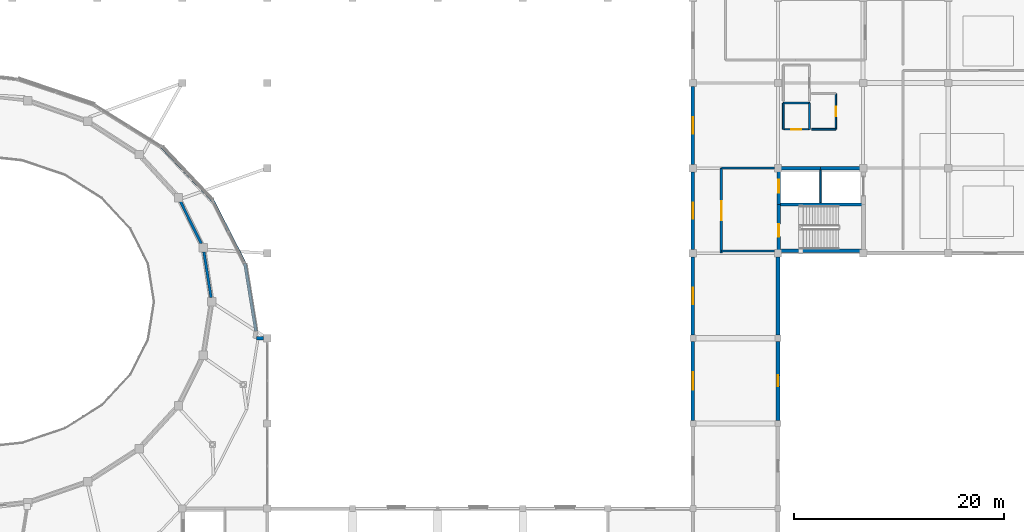
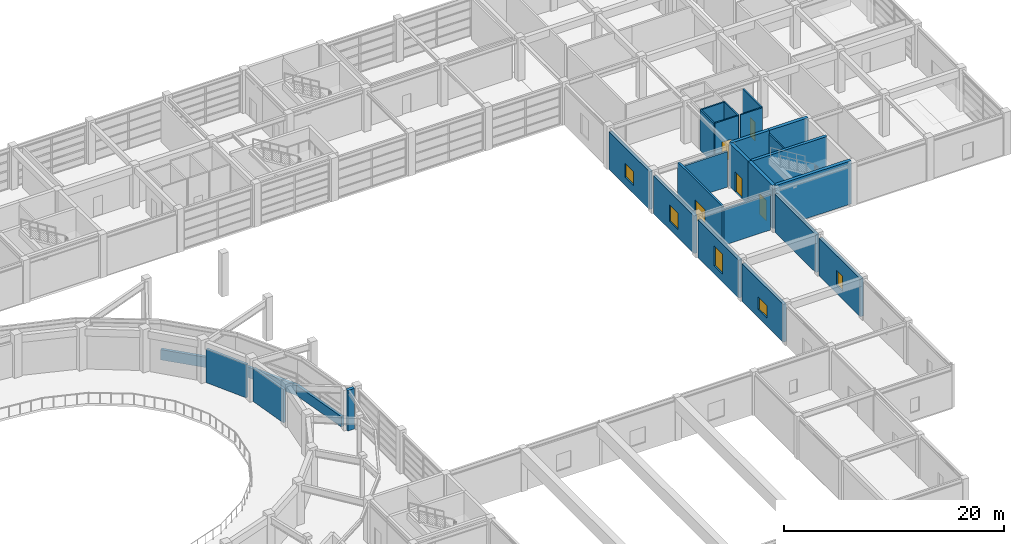
# One storey, part 43 of 58: 28 walls, 5 doors, 5 windows, 10 openings.
"""IFC4 building model written with IfcOpenShell, lengths in metres."""

from ifc_helpers import new_model, si_unit, direction, frame, frame_2d, origin, place, context, subcontext, project, spatial, rectangle, extrude, material, layer, layer_set, type_object, element, fill, save


model = new_model("IFC4")

# Units and contexts
model_context = context("Model", 3, precision=1e-05, world=origin(), true_north=direction((0.0, 1.0)))
body_context = subcontext(model_context, "Body", "Model", "MODEL_VIEW")
ifc_project = project(units=[si_unit("LENGTHUNIT", "METRE"), si_unit("AREAUNIT", "SQUARE_METRE"), si_unit("VOLUMEUNIT", "CUBIC_METRE"), si_unit("PLANEANGLEUNIT", "RADIAN"), si_unit("MASSUNIT", "GRAM", prefix="KILO")], contexts=[model_context])

# Site, building, storey
site_placement = place(None, origin())
site = spatial("IfcSite", under=ifc_project, at=site_placement, CompositionType="ELEMENT")
building_placement = place(site_placement, origin())
building = spatial("IfcBuilding", under=site, at=building_placement, Name="Parian Resonance Hall", CompositionType="ELEMENT")
storey_placement = place(building_placement, frame((0.0, 0.0, 10.199951171875)))
storey = spatial("IfcBuildingStorey", under=building, at=storey_placement, Name="L02", CompositionType="ELEMENT", Elevation=10.199951171875)

# Wall
ifc_material_1 = material(Name="Concrete C40/50", Category="concrete")
ifc_layer_1 = layer(ifc_material_1, 0.31005859375)
ifc_layer_set_1 = layer_set([ifc_layer_1], Name="Concrete C40/50")
wall_type_1 = type_object("IfcWallType", Name="CW310", PredefinedType="SHEAR", material=ifc_layer_set_1)
wall_1_placement = place(storey_placement, frame((121.570068359375, 53.25, 0.0), z_axis=(0.0, 0.0, 1.0), x_axis=(1.0, 0.0, 0.0)))
element("IfcWall", 1, at=wall_1_placement, inside=storey, type_object=wall_type_1, Name="Core K2 stair-lift divider wall L02", PredefinedType="SHEAR", context=body_context, shape_type="SweptSolid", body=[
    extrude(rectangle(XDim=8.059814453125, YDim=0.31005859375, at=frame_2d((4.02978515625, 0.0))), origin(), (0.0, 0.0, 1.0), 4.800048828125),
])

# Wall, opening, door
ifc_material_2 = material(Name="Concrete C40/50", Category="concrete")
ifc_layer_2 = layer(ifc_material_2, 0.35009765625)
ifc_layer_set_2 = layer_set([ifc_layer_2], Name="Concrete C40/50")
wall_type_2 = type_object("IfcWallType", Name="CW350", PredefinedType="SHEAR", material=ifc_layer_set_2)
wall_2_placement = place(storey_placement, frame((121.570068359375, 48.830078125, 0.0), z_axis=(0.0, 0.0, 1.0), x_axis=(0.0, 1.0, 0.0)))
wall_2 = element("IfcWall", 2, at=wall_2_placement, inside=storey, type_object=wall_type_2, Name="Core K2 stairwell west shear wall L02", PredefinedType="SHEAR", context=body_context, shape_type="SweptSolid", body=[
    extrude(rectangle(XDim=4.419921875, YDim=0.35009765625, at=frame_2d((2.2099609375, 0.0))), origin(), (0.0, 0.0, 1.0), 4.800048828125),
])
opening_1_placement = place(wall_2_placement, frame((1.35009765625, 0.0, 0.0)))
opening_1 = element("IfcOpeningElement", 3, at=opening_1_placement, cuts=wall_2, Name="Opening FD-01", PredefinedType="OPENING", context=body_context, shape_type="SweptSolid", body=[
    extrude(rectangle(XDim=1.199951171875, YDim=2.25, at=frame_2d((0.60009765625, 1.125))), frame((0.0, 0.18505859375, 0.0), z_axis=(0.0, -1.0, 0.0), x_axis=(1.0, 0.0, 0.0)), (0.0, 0.0, 1.0), 0.3701171875),
])
ifc_material_3 = material(Name="Fire-rated acoustic steel and narra timber door", Category="steel")
door_type_1 = type_object("IfcDoorType", Name="FD-01", OperationType="NOTDEFINED", PredefinedType="DOOR", material=ifc_material_3)
door_1_placement = place(opening_1_placement, origin())
door_1 = element("IfcDoor", 4, at=door_1_placement, inside=storey, type_object=door_type_1, Name="Exit stair ST-02 fire door L02", OperationType="SINGLE_SWING_LEFT", OverallHeight=2.25, OverallWidth=1.199951171875, PredefinedType="DOOR", context=body_context, shape_type="SweptSolid", body=[
    extrude(rectangle(XDim=1.199951171875, YDim=2.25, at=frame_2d((0.60009765625, 1.125))), frame((0.0, 0.02490234375, 0.0), z_axis=(0.0, -1.0, 0.0), x_axis=(1.0, 0.0, 0.0)), (0.0, 0.0, 1.0), 0.050048828125),
])
fill(opening_1, door_1)

wall_3_placement = place(storey_placement, frame((121.570068359375, 53.25, 0.0), z_axis=(0.0, 0.0, 1.0), x_axis=(0.0, 1.0, 0.0)))
wall_3 = element("IfcWall", 5, at=wall_3_placement, inside=storey, type_object=wall_type_2, Name="Core K2 lift shaft west shear wall L02", PredefinedType="SHEAR", context=body_context, shape_type="SweptSolid", body=[
    extrude(rectangle(XDim=3.449951171875, YDim=0.35009765625, at=frame_2d((1.72509765625, 0.0))), origin(), (0.0, 0.0, 1.0), 4.800048828125),
])
opening_2_placement = place(wall_3_placement, frame((1.125, 0.0, 0.0)))
opening_2 = element("IfcOpeningElement", 6, at=opening_2_placement, cuts=wall_3, Name="Opening LD-01", PredefinedType="OPENING", context=body_context, shape_type="SweptSolid", body=[
    extrude(rectangle(XDim=1.199951171875, YDim=2.199951171875, at=frame_2d((0.60009765625, 1.10009765625))), frame((0.0, 0.18505859375, 0.0), z_axis=(0.0, -1.0, 0.0), x_axis=(1.0, 0.0, 0.0)), (0.0, 0.0, 1.0), 0.3701171875),
])
ifc_material_4 = material(Name="Stainless steel and bronze elevator cab", Category="steel")
door_type_2 = type_object("IfcDoorType", Name="DOOR-LIFT-1200x2200", OperationType="SLIDING_TO_LEFT", PredefinedType="DOOR", material=ifc_material_4)
door_2_placement = place(opening_2_placement, origin())
door_2 = element("IfcDoor", 7, at=door_2_placement, inside=storey, type_object=door_type_2, Name="Lift LF-02 sliding landing door L02", OperationType="SLIDING_TO_LEFT", OverallHeight=2.199951171875, OverallWidth=1.199951171875, PredefinedType="DOOR", context=body_context, shape_type="SweptSolid", body=[
    extrude(rectangle(XDim=1.199951171875, YDim=2.199951171875, at=frame_2d((0.60009765625, 1.10009765625))), frame((0.0, 0.02490234375, 0.0), z_axis=(0.0, -1.0, 0.0), x_axis=(1.0, 0.0, 0.0)), (0.0, 0.0, 1.0), 0.050048828125),
])
fill(opening_2, door_2)

# Walls
wall_4_placement = place(storey_placement, frame((121.570068359375, 56.699951171875, 0.0), z_axis=(0.0, 0.0, 1.0), x_axis=(1.0, 0.0, 0.0)))
element("IfcWall", 8, at=wall_4_placement, inside=storey, type_object=wall_type_2, Name="Core K2 north-west shaft wall L02", PredefinedType="SHEAR", context=body_context, shape_type="SweptSolid", body=[
    extrude(rectangle(XDim=3.97998046875, YDim=0.35009765625, at=frame_2d((1.989990234375, 0.0))), origin(), (0.0, 0.0, 1.0), 4.800048828125),
])
wall_5_placement = place(storey_placement, frame((125.550048828125, 56.699951171875, 0.0), z_axis=(0.0, 0.0, 1.0), x_axis=(1.0, 0.0, 0.0)))
element("IfcWall", 9, at=wall_5_placement, inside=storey, type_object=wall_type_2, Name="Core K2 north-east shaft wall L02", PredefinedType="SHEAR", context=body_context, shape_type="SweptSolid", body=[
    extrude(rectangle(XDim=4.079833984375, YDim=0.35009765625, at=frame_2d((2.0400390625, 0.0))), origin(), (0.0, 0.0, 1.0), 4.800048828125),
])
wall_6_placement = place(storey_placement, frame((129.6298828125, 48.830078125, 0.0), z_axis=(0.0, 0.0, 1.0), x_axis=(-1.0, 0.0, 0.0)))
element("IfcWall", 10, at=wall_6_placement, inside=storey, type_object=wall_type_2, Name="Core K2 stairwell south wall L02", PredefinedType="SHEAR", context=body_context, shape_type="SweptSolid", body=[
    extrude(rectangle(XDim=8.059814453125, YDim=0.35009765625, at=frame_2d((4.02978515625, 0.0))), origin(), (0.0, 0.0, 1.0), 4.800048828125),
])
ifc_material_5 = material(Name="Concrete C35/45 with white lime plaster and polychrome mosaic", Category="concrete")
ifc_layer_3 = layer(ifc_material_5, 0.2900390625)
ifc_layer_set_3 = layer_set([ifc_layer_3], Name="Concrete C35/45 with white lime plaster and polychrome mosaic")
wall_type_3 = type_object("IfcWallType", Name="EW-RING-290", PredefinedType="SOLIDWALL", material=ifc_layer_set_3)
wall_7_placement = place(storey_placement, frame((70.75732421875, 47.61865234375, 0.0), z_axis=(0.0, 0.0, 1.0), x_axis=(0.160348975304, -0.987060386258, 0.0)))
element("IfcWall", 11, at=wall_7_placement, inside=storey, type_object=wall_type_3, Name="Elliptical R2 mosaic spandrel wall 01", PredefinedType="SOLIDWALL", context=body_context, shape_type="SweptSolid", body=[
    extrude(rectangle(XDim=6.5029296875, YDim=0.2900390625, at=frame_2d((3.25146484375, 0.0))), origin(), (0.0, 0.0, 1.0), 1.150146484375),
])
wall_8_placement = place(storey_placement, frame((67.700439453125, 53.60009765625, 0.0), z_axis=(0.0, 0.0, 1.0), x_axis=(0.455075838645, -0.890452683236, 0.0)))
element("IfcWall", 12, at=wall_8_placement, inside=storey, type_object=wall_type_3, Name="Elliptical R2 mosaic spandrel wall 02", PredefinedType="SOLIDWALL", context=body_context, shape_type="SweptSolid", body=[
    extrude(rectangle(XDim=6.71728515625, YDim=0.2900390625, at=frame_2d((3.358642578125, 0.0))), origin(), (0.0, 0.0, 1.0), 1.150146484375),
])
wall_9_placement = place(storey_placement, frame((62.83740234375, 58.736083984375, 0.0), z_axis=(0.0, 0.0, 1.0), x_axis=(0.687548353371, -0.72613859681, 0.0)))
element("IfcWall", 13, at=wall_9_placement, inside=storey, type_object=wall_type_3, Name="Elliptical R2 mosaic spandrel wall 03", PredefinedType="SOLIDWALL", context=body_context, shape_type="SweptSolid", body=[
    extrude(rectangle(XDim=7.072998046875, YDim=0.2900390625, at=frame_2d((3.53662109375, 0.0))), origin(), (0.0, 0.0, 1.0), 1.150146484375),
])

# Wall, opening, window
ifc_material_6 = material(Name="Concrete C35/45 with Carcar coral-limestone ashlar", Category="masonry")
ifc_layer_4 = layer(ifc_material_6, 0.340087890625)
ifc_layer_set_4 = layer_set([ifc_layer_4], Name="Concrete C35/45 with Carcar coral-limestone ashlar")
wall_type_4 = type_object("IfcWallType", Name="EW-STONE-340", PredefinedType="SOLIDWALL", material=ifc_layer_set_4)
wall_10_placement = place(storey_placement, frame((121.5, 32.699951171875, 0.0), z_axis=(0.0, 0.0, 1.0), x_axis=(0.0, 1.0, 0.0)))
wall_10 = element("IfcWall", 14, at=wall_10_placement, inside=storey, type_object=wall_type_4, Name="Perimeter closure wall L02", PredefinedType="SOLIDWALL", context=body_context, shape_type="SweptSolid", body=[
    extrude(rectangle(XDim=7.5, YDim=0.340087890625, at=frame_2d((3.75, 0.0))), origin(), (0.0, 0.0, 1.0), 4.20703125),
])
opening_3_placement = place(wall_10_placement, frame((3.22509765625, 0.0, 0.89990234375)))
opening_3 = element("IfcOpeningElement", 15, at=opening_3_placement, cuts=wall_10, Name="Opening WN-08", PredefinedType="OPENING", context=body_context, shape_type="SweptSolid", body=[
    extrude(rectangle(XDim=1.050048828125, YDim=1.64990234375, at=frame_2d((0.52490234375, 0.824951171875))), frame((0.0, 0.179931640625, 0.0), z_axis=(0.0, -1.0, 0.0), x_axis=(1.0, 0.0, 0.0)), (0.0, 0.0, 1.0), 0.360107421875),
])
ifc_material_7 = material(Name="Acoustic laminated double glazing", Category="glass")
window_type_1 = type_object("IfcWindowType", Name="WIN-1050x1650", PartitioningType="SINGLE_PANEL", PredefinedType="WINDOW", material=ifc_material_7)
window_1_placement = place(opening_3_placement, origin())
window_1 = element("IfcWindow", 16, at=window_1_placement, inside=storey, type_object=window_type_1, Name="Acoustic window L02-0089", OverallHeight=1.64990234375, OverallWidth=1.050048828125, PartitioningType="SINGLE_PANEL", PredefinedType="WINDOW", context=body_context, shape_type="SweptSolid", body=[
    extrude(rectangle(XDim=1.050048828125, YDim=1.64990234375, at=frame_2d((0.52490234375, 0.824951171875))), frame((0.0, 0.030029296875, 0.0), z_axis=(0.0, -1.0, 0.0), x_axis=(1.0, 0.0, 0.0)), (0.0, 0.0, 1.0), 0.06005859375),
])
fill(opening_3, window_1)

# Wall
wall_11_placement = place(storey_placement, frame((121.5, 40.800048828125, 0.0), z_axis=(0.0, 0.0, 1.0), x_axis=(0.0, 1.0, 0.0)))
element("IfcWall", 17, at=wall_11_placement, inside=storey, type_object=wall_type_4, Name="Perimeter closure wall L02", PredefinedType="SOLIDWALL", context=body_context, shape_type="SweptSolid", body=[
    extrude(rectangle(XDim=7.449951171875, YDim=0.340087890625, at=frame_2d((3.72509765625, 0.0))), origin(), (0.0, 0.0, 1.0), 4.20703125),
])

# Wall, opening, window
wall_12_placement = place(storey_placement, frame((113.39990234375, 64.449951171875, 0.0), z_axis=(0.0, 0.0, 1.0), x_axis=(0.0, -1.0, 0.0)))
wall_12 = element("IfcWall", 18, at=wall_12_placement, inside=storey, type_object=wall_type_4, Name="Perimeter closure wall L02", PredefinedType="SOLIDWALL", context=body_context, shape_type="SweptSolid", body=[
    extrude(rectangle(XDim=7.39990234375, YDim=0.340087890625, at=frame_2d((3.699951171875, 0.0))), origin(), (0.0, 0.0, 1.0), 4.18701171875),
])
opening_4_placement = place(wall_12_placement, frame((2.925048828125, 0.0, 0.89990234375)))
opening_4 = element("IfcOpeningElement", 19, at=opening_4_placement, cuts=wall_12, Name="Opening WN-24", PredefinedType="OPENING", context=body_context, shape_type="SweptSolid", body=[
    extrude(rectangle(XDim=1.550048828125, YDim=1.550048828125, at=frame_2d((0.77490234375, 0.77490234375))), frame((0.0, 0.179931640625, 0.0), z_axis=(0.0, -1.0, 0.0), x_axis=(1.0, 0.0, 0.0)), (0.0, 0.0, 1.0), 0.360107421875),
])
ifc_material_8 = material(Name="Acoustic laminated double glazing", Category="glass")
window_type_2 = type_object("IfcWindowType", Name="WIN-1550x1550", PartitioningType="SINGLE_PANEL", PredefinedType="WINDOW", material=ifc_material_8)
window_2_placement = place(opening_4_placement, origin())
window_2 = element("IfcWindow", 20, at=window_2_placement, inside=storey, type_object=window_type_2, Name="Acoustic window L02-0098", OverallHeight=1.550048828125, OverallWidth=1.550048828125, PartitioningType="SINGLE_PANEL", PredefinedType="WINDOW", context=body_context, shape_type="SweptSolid", body=[
    extrude(rectangle(XDim=1.550048828125, YDim=1.550048828125, at=frame_2d((0.77490234375, 0.77490234375))), frame((0.0, 0.030029296875, 0.0), z_axis=(0.0, -1.0, 0.0), x_axis=(1.0, 0.0, 0.0)), (0.0, 0.0, 1.0), 0.06005859375),
])
fill(opening_4, window_2)

wall_13_placement = place(storey_placement, frame((113.39990234375, 56.35009765625, 0.0), z_axis=(0.0, 0.0, 1.0), x_axis=(0.0, -1.0, 0.0)))
wall_13 = element("IfcWall", 21, at=wall_13_placement, inside=storey, type_object=wall_type_4, Name="Perimeter closure wall L02", PredefinedType="SOLIDWALL", context=body_context, shape_type="SweptSolid", body=[
    extrude(rectangle(XDim=7.400146484375, YDim=0.340087890625, at=frame_2d((3.7001953125, 0.0))), origin(), (0.0, 0.0, 1.0), 4.18701171875),
])
opening_5_placement = place(wall_13_placement, frame((2.925048828125, 0.0, 0.89990234375)))
opening_5 = element("IfcOpeningElement", 22, at=opening_5_placement, cuts=wall_13, Name="Opening WN-25", PredefinedType="OPENING", context=body_context, shape_type="SweptSolid", body=[
    extrude(rectangle(XDim=1.550048828125, YDim=1.85009765625, at=frame_2d((0.77490234375, 0.925048828125))), frame((0.0, 0.179931640625, 0.0), z_axis=(0.0, -1.0, 0.0), x_axis=(1.0, 0.0, 0.0)), (0.0, 0.0, 1.0), 0.360107421875),
])
ifc_material_9 = material(Name="Acoustic laminated double glazing", Category="glass")
window_type_3 = type_object("IfcWindowType", Name="WIN-1550x1850", PartitioningType="SINGLE_PANEL", PredefinedType="WINDOW", material=ifc_material_9)
window_3_placement = place(opening_5_placement, origin())
window_3 = element("IfcWindow", 23, at=window_3_placement, inside=storey, type_object=window_type_3, Name="Acoustic window L02-0099", OverallHeight=1.85009765625, OverallWidth=1.550048828125, PartitioningType="SINGLE_PANEL", PredefinedType="WINDOW", context=body_context, shape_type="SweptSolid", body=[
    extrude(rectangle(XDim=1.550048828125, YDim=1.85009765625, at=frame_2d((0.77490234375, 0.925048828125))), frame((0.0, 0.030029296875, 0.0), z_axis=(0.0, -1.0, 0.0), x_axis=(1.0, 0.0, 0.0)), (0.0, 0.0, 1.0), 0.06005859375),
])
fill(opening_5, window_3)

wall_14_placement = place(storey_placement, frame((113.39990234375, 48.25, 0.0), z_axis=(0.0, 0.0, 1.0), x_axis=(0.0, -1.0, 0.0)))
wall_14 = element("IfcWall", 24, at=wall_14_placement, inside=storey, type_object=wall_type_4, Name="Perimeter closure wall L02", PredefinedType="SOLIDWALL", context=body_context, shape_type="SweptSolid", body=[
    extrude(rectangle(XDim=7.449951171875, YDim=0.340087890625, at=frame_2d((3.72509765625, 0.0))), origin(), (0.0, 0.0, 1.0), 4.20703125),
])
opening_6_placement = place(wall_14_placement, frame((2.949951171875, 0.0, 0.89990234375)))
opening_6 = element("IfcOpeningElement", 25, at=opening_6_placement, cuts=wall_14, Name="Opening WN-26", PredefinedType="OPENING", context=body_context, shape_type="SweptSolid", body=[
    extrude(rectangle(XDim=1.550048828125, YDim=2.199951171875, at=frame_2d((0.77490234375, 1.10009765625))), frame((0.0, 0.179931640625, 0.0), z_axis=(0.0, -1.0, 0.0), x_axis=(1.0, 0.0, 0.0)), (0.0, 0.0, 1.0), 0.360107421875),
])
ifc_material_10 = material(Name="Acoustic laminated double glazing", Category="glass")
window_type_4 = type_object("IfcWindowType", Name="WIN-1550x2200", PartitioningType="SINGLE_PANEL", PredefinedType="WINDOW", material=ifc_material_10)
window_4_placement = place(opening_6_placement, origin())
window_4 = element("IfcWindow", 26, at=window_4_placement, inside=storey, type_object=window_type_4, Name="Acoustic window L02-0100", OverallHeight=2.199951171875, OverallWidth=1.550048828125, PartitioningType="SINGLE_PANEL", PredefinedType="WINDOW", context=body_context, shape_type="SweptSolid", body=[
    extrude(rectangle(XDim=1.550048828125, YDim=2.199951171875, at=frame_2d((0.77490234375, 1.10009765625))), frame((0.0, 0.030029296875, 0.0), z_axis=(0.0, -1.0, 0.0), x_axis=(1.0, 0.0, 0.0)), (0.0, 0.0, 1.0), 0.06005859375),
])
fill(opening_6, window_4)

wall_15_placement = place(storey_placement, frame((113.39990234375, 40.199951171875, 0.0), z_axis=(0.0, 0.0, 1.0), x_axis=(0.0, -1.0, 0.0)))
wall_15 = element("IfcWall", 27, at=wall_15_placement, inside=storey, type_object=wall_type_4, Name="Perimeter closure wall L02", PredefinedType="SOLIDWALL", context=body_context, shape_type="SweptSolid", body=[
    extrude(rectangle(XDim=7.5, YDim=0.340087890625, at=frame_2d((3.75, 0.0))), origin(), (0.0, 0.0, 1.0), 4.20703125),
])
opening_7_placement = place(wall_15_placement, frame((2.925048828125, 0.0, 0.89990234375)))
opening_7 = element("IfcOpeningElement", 28, at=opening_7_placement, cuts=wall_15, Name="Opening WN-27", PredefinedType="OPENING", context=body_context, shape_type="SweptSolid", body=[
    extrude(rectangle(XDim=1.64990234375, YDim=1.39990234375, at=frame_2d((0.824951171875, 0.699951171875))), frame((0.0, 0.179931640625, 0.0), z_axis=(0.0, -1.0, 0.0), x_axis=(1.0, 0.0, 0.0)), (0.0, 0.0, 1.0), 0.360107421875),
])
ifc_material_11 = material(Name="Acoustic laminated double glazing", Category="glass")
window_type_5 = type_object("IfcWindowType", Name="WIN-1650x1400", PartitioningType="SINGLE_PANEL", PredefinedType="WINDOW", material=ifc_material_11)
window_5_placement = place(opening_7_placement, origin())
window_5 = element("IfcWindow", 29, at=window_5_placement, inside=storey, type_object=window_type_5, Name="Acoustic window L02-0101", OverallHeight=1.39990234375, OverallWidth=1.64990234375, PartitioningType="SINGLE_PANEL", PredefinedType="WINDOW", context=body_context, shape_type="SweptSolid", body=[
    extrude(rectangle(XDim=1.64990234375, YDim=1.39990234375, at=frame_2d((0.824951171875, 0.699951171875))), frame((0.0, 0.030029296875, 0.0), z_axis=(0.0, -1.0, 0.0), x_axis=(1.0, 0.0, 0.0)), (0.0, 0.0, 1.0), 0.06005859375),
])
fill(opening_7, window_5)

# Wall
wall_16_placement = place(storey_placement, frame((72.550048828125, 40.5, 0.0), z_axis=(0.0, 0.0, 1.0), x_axis=(-1.0, 0.0, 0.0)))
element("IfcWall", 30, at=wall_16_placement, inside=storey, type_object=wall_type_4, Name="Perimeter closure wall L02", PredefinedType="SOLIDWALL", context=body_context, shape_type="SweptSolid", body=[
    extrude(rectangle(XDim=0.68994140625, YDim=0.340087890625, at=frame_2d((0.344970703125, 0.0))), origin(), (0.0, 0.0, 1.0), 4.5),
])

# Wall, opening, door
ifc_material_12 = material(Name="Concrete C35/45 fire barrier", Category="concrete")
ifc_layer_5 = layer(ifc_material_12, 0.199951171875)
ifc_layer_set_5 = layer_set([ifc_layer_5], Name="Concrete C35/45 fire barrier")
wall_type_5 = type_object("IfcWallType", Name="FW200", PredefinedType="PARTITIONING", material=ifc_layer_set_5)
wall_17_placement = place(storey_placement, frame((116.10009765625, 48.60009765625, 0.0), z_axis=(0.0, 0.0, 1.0), x_axis=(0.0, 1.0, 0.0)))
wall_17 = element("IfcWall", 31, at=wall_17_placement, inside=storey, type_object=wall_type_5, Name="Firefighting lift lobby K2 west fire barrier L02", PredefinedType="PARTITIONING", context=body_context, shape_type="SweptSolid", body=[
    extrude(rectangle(XDim=8.099853515625, YDim=0.199951171875, at=frame_2d((4.0498046875, 0.0))), origin(), (0.0, 0.0, 1.0), 4.5),
])
opening_8_placement = place(wall_17_placement, frame((3.14990234375, 0.0, 0.0)))
opening_8 = element("IfcOpeningElement", 32, at=opening_8_placement, cuts=wall_17, Name="Opening FD-02", PredefinedType="OPENING", context=body_context, shape_type="SweptSolid", body=[
    extrude(rectangle(XDim=1.800048828125, YDim=2.25, at=frame_2d((0.89990234375, 1.125))), frame((0.0, 0.10986328125, 0.0), z_axis=(0.0, -1.0, 0.0), x_axis=(1.0, 0.0, 0.0)), (0.0, 0.0, 1.0), 0.219970703125),
])
ifc_material_13 = material(Name="Fire-rated acoustic steel and narra timber door", Category="steel")
door_type_3 = type_object("IfcDoorType", Name="FD-02", OperationType="NOTDEFINED", PredefinedType="DOOR", material=ifc_material_13)
door_3_placement = place(opening_8_placement, origin())
door_3 = element("IfcDoor", 33, at=door_3_placement, inside=storey, type_object=door_type_3, Name="Firefighting lift lobby K2 smoke-seal fire door L02", OperationType="DOUBLE_DOOR_SINGLE_SWING", OverallHeight=2.25, OverallWidth=1.800048828125, PredefinedType="DOOR", context=body_context, shape_type="SweptSolid", body=[
    extrude(rectangle(XDim=1.800048828125, YDim=2.25, at=frame_2d((0.89990234375, 1.125))), frame((0.0, 0.02490234375, 0.0), z_axis=(0.0, -1.0, 0.0), x_axis=(1.0, 0.0, 0.0)), (0.0, 0.0, 1.0), 0.050048828125),
])
fill(opening_8, door_3)

# Walls
wall_18_placement = place(storey_placement, frame((116.10009765625, 56.699951171875, 0.0), z_axis=(0.0, 0.0, 1.0), x_axis=(1.0, 0.0, 0.0)))
element("IfcWall", 34, at=wall_18_placement, inside=storey, type_object=wall_type_5, Name="Firefighting lift lobby K2 N fire barrier L02", PredefinedType="PARTITIONING", context=body_context, shape_type="SweptSolid", body=[
    extrude(rectangle(XDim=5.0498046875, YDim=0.199951171875, at=frame_2d((2.52490234375, 0.0))), origin(), (0.0, 0.0, 1.0), 3.93603515625),
])
wall_19_placement = place(storey_placement, frame((121.14990234375, 48.830078125, 0.0), z_axis=(0.0, 0.0, 1.0), x_axis=(-1.0, 0.0, 0.0)))
element("IfcWall", 35, at=wall_19_placement, inside=storey, type_object=wall_type_5, Name="Firefighting lift lobby K2 S fire barrier L02", PredefinedType="PARTITIONING", context=body_context, shape_type="SweptSolid", body=[
    extrude(rectangle(XDim=5.0498046875, YDim=0.199951171875, at=frame_2d((2.52490234375, 0.0))), origin(), (0.0, 0.0, 1.0), 4.0),
])
ifc_material_14 = material(Name="Concrete C35/45 fire barrier", Category="concrete")
ifc_layer_6 = layer(ifc_material_14, 0.25)
ifc_layer_set_6 = layer_set([ifc_layer_6], Name="Concrete C35/45 fire barrier")
wall_type_6 = type_object("IfcWallType", Name="HW250", PredefinedType="SOLIDWALL", material=ifc_layer_set_6)
wall_20_placement = place(storey_placement, frame((66.858642578125, 48.724609375, 0.0), z_axis=(0.0, 0.0, 1.0), x_axis=(0.154985912507, -0.987916680153, 0.0)))
element("IfcWall", 36, at=wall_20_placement, inside=storey, type_object=wall_type_6, Name="Main Concert Hall acoustic drum wall L02-01", PredefinedType="SOLIDWALL", context=body_context, shape_type="SweptSolid", body=[
    extrude(rectangle(XDim=4.377685546875, YDim=0.25, at=frame_2d((2.18896484375, 0.0))), origin(), (0.0, 0.0, 1.0), 3.72412109375),
])
wall_21_placement = place(storey_placement, frame((64.6357421875, 53.5, 0.0), z_axis=(0.0, 0.0, 1.0), x_axis=(0.442692313403, -0.896673583671, 0.0)))
element("IfcWall", 37, at=wall_21_placement, inside=storey, type_object=wall_type_6, Name="Main Concert Hall acoustic drum wall L02-02", PredefinedType="SOLIDWALL", context=body_context, shape_type="SweptSolid", body=[
    extrude(rectangle(XDim=4.433349609375, YDim=0.25, at=frame_2d((2.216796875, 0.0))), origin(), (0.0, 0.0, 1.0), 3.72412109375),
])
ifc_material_15 = material(Name="Concrete C35/45 acoustic plumbing chase wall", Category="concrete")
ifc_layer_7 = layer(ifc_material_15, 0.14990234375)
ifc_layer_set_7 = layer_set([ifc_layer_7], Name="Concrete C35/45 acoustic plumbing chase wall")
wall_type_7 = type_object("IfcWallType", Name="PW150", PredefinedType="PLUMBINGWALL", material=ifc_layer_set_7)
wall_22_placement = place(storey_placement, frame((125.550048828125, 53.409912109375, 0.0), z_axis=(0.0, 0.0, 1.0), x_axis=(0.0, 1.0, 0.0)))
element("IfcWall", 38, at=wall_22_placement, inside=storey, type_object=wall_type_7, Name="Core K2 shaft plumbing/riser divider L02", PredefinedType="PLUMBINGWALL", context=body_context, shape_type="SweptSolid", body=[
    extrude(rectangle(XDim=3.130126953125, YDim=0.14990234375, at=frame_2d((1.56494140625, 0.0))), origin(), (0.0, 0.0, 1.0), 4.449951171875),
])
wall_23_placement = place(storey_placement, frame((124.5, 62.89990234375, 0.0), z_axis=(0.0, 0.0, 1.0), x_axis=(0.0, -1.0, 0.0)))
element("IfcWall", 39, at=wall_23_placement, inside=storey, type_object=wall_type_7, Name="Interior acoustic partition IW-L02-0170", PredefinedType="PLUMBINGWALL", context=body_context, shape_type="SweptSolid", body=[
    extrude(rectangle(XDim=2.5, YDim=0.14990234375, at=frame_2d((1.25, 0.0))), origin(), (0.0, 0.0, 1.0), 4.52001953125),
])

# Wall, opening, door
wall_24_placement = place(storey_placement, frame((124.5, 60.39990234375, 0.0), z_axis=(0.0, 0.0, 1.0), x_axis=(-1.0, 0.0, 0.0)))
wall_24 = element("IfcWall", 40, at=wall_24_placement, inside=storey, type_object=wall_type_7, Name="Interior acoustic partition IW-L02-0171", PredefinedType="PLUMBINGWALL", context=body_context, shape_type="SweptSolid", body=[
    extrude(rectangle(XDim=2.5, YDim=0.14990234375, at=frame_2d((1.25, 0.0))), origin(), (0.0, 0.0, 1.0), 4.52001953125),
])
opening_9_placement = place(wall_24_placement, frame((0.77001953125, 0.0, 0.0)))
opening_9 = element("IfcOpeningElement", 41, at=opening_9_placement, cuts=wall_24, Name="Opening ID-21", PredefinedType="OPENING", context=body_context, shape_type="SweptSolid", body=[
    extrude(rectangle(XDim=0.9599609375, YDim=2.159912109375, at=frame_2d((0.47998046875, 1.080078125))), frame((0.0, 0.0849609375, 0.0), z_axis=(0.0, -1.0, 0.0), x_axis=(1.0, 0.0, 0.0)), (0.0, 0.0, 1.0), 0.169921875),
])
ifc_material_16 = material(Name="Philippine narra acoustic timber door", Category="wood")
door_type_4 = type_object("IfcDoorType", Name="ID-AWC-0960x2160", OperationType="NOTDEFINED", PredefinedType="DOOR", material=ifc_material_16)
door_4_placement = place(opening_9_placement, origin())
door_4 = element("IfcDoor", 42, at=door_4_placement, inside=storey, type_object=door_type_4, Name="Accessible WC W2 door", OperationType="SINGLE_SWING_LEFT", OverallHeight=2.159912109375, OverallWidth=0.9599609375, PredefinedType="DOOR", context=body_context, shape_type="SweptSolid", body=[
    extrude(rectangle(XDim=0.9599609375, YDim=2.159912109375, at=frame_2d((0.47998046875, 1.080078125))), frame((0.0, 0.02490234375, 0.0), z_axis=(0.0, -1.0, 0.0), x_axis=(1.0, 0.0, 0.0)), (0.0, 0.0, 1.0), 0.050048828125),
])
fill(opening_9, door_4)

# Walls
for number, where, z_axis, x_axis, name in (
    (43, (122.0, 60.39990234375, 0.0), (0.0, 0.0, 1.0), (0.0, 1.0, 0.0), "Interior acoustic partition IW-L02-0172"),
    (44, (122.0, 62.89990234375, 0.0), (0.0, 0.0, 1.0), (1.0, 0.0, 0.0), "Interior acoustic partition IW-L02-0173"),
):
    element("IfcWall", number, at=place(storey_placement, frame(where, z_axis=z_axis, x_axis=x_axis)), inside=storey, type_object=wall_type_7, Name=name, PredefinedType="PLUMBINGWALL", context=body_context, shape_type="SweptSolid", body=[
        extrude(rectangle(XDim=2.5, YDim=0.14990234375, at=frame_2d((1.25, 0.0))), origin(), (0.0, 0.0, 1.0), 4.52001953125),
    ])

# Wall, opening, door
wall_25_placement = place(storey_placement, frame((127.0, 63.800048828125, 0.0), z_axis=(0.0, 0.0, 1.0), x_axis=(0.0, -1.0, 0.0)))
wall_25 = element("IfcWall", 45, at=wall_25_placement, inside=storey, type_object=wall_type_7, Name="Interior acoustic partition IW-L02-0174", PredefinedType="PLUMBINGWALL", context=body_context, shape_type="SweptSolid", body=[
    extrude(rectangle(XDim=3.400146484375, YDim=0.14990234375, at=frame_2d((1.7001953125, 0.0))), origin(), (0.0, 0.0, 1.0), 4.52001953125),
])
opening_10_placement = place(wall_25_placement, frame((1.25, 0.0, 0.0)))
opening_10 = element("IfcOpeningElement", 46, at=opening_10_placement, cuts=wall_25, Name="Opening ID-22", PredefinedType="OPENING", context=body_context, shape_type="SweptSolid", body=[
    extrude(rectangle(XDim=0.89990234375, YDim=2.10009765625, at=frame_2d((0.449951171875, 1.050048828125))), frame((0.0, 0.0849609375, 0.0), z_axis=(0.0, -1.0, 0.0), x_axis=(1.0, 0.0, 0.0)), (0.0, 0.0, 1.0), 0.169921875),
])
ifc_material_17 = material(Name="Philippine narra acoustic timber door", Category="wood")
door_type_5 = type_object("IfcDoorType", Name="ID-WC-0900x2100", OperationType="NOTDEFINED", PredefinedType="DOOR", material=ifc_material_17)
door_5_placement = place(opening_10_placement, origin())
door_5 = element("IfcDoor", 47, at=door_5_placement, inside=storey, type_object=door_type_5, Name="Female Restroom W2 door", OperationType="SINGLE_SWING_RIGHT", OverallHeight=2.10009765625, OverallWidth=0.89990234375, PredefinedType="DOOR", context=body_context, shape_type="SweptSolid", body=[
    extrude(rectangle(XDim=0.89990234375, YDim=2.10009765625, at=frame_2d((0.449951171875, 1.050048828125))), frame((0.0, 0.02490234375, 0.0), z_axis=(0.0, -1.0, 0.0), x_axis=(1.0, 0.0, 0.0)), (0.0, 0.0, 1.0), 0.050048828125),
])
fill(opening_10, door_5)

# Wall
wall_26_placement = place(storey_placement, frame((127.0, 60.39990234375, 0.0), z_axis=(0.0, 0.0, 1.0), x_axis=(-1.0, 0.0, 0.0)))
element("IfcWall", 48, at=wall_26_placement, inside=storey, type_object=wall_type_7, Name="Interior acoustic partition IW-L02-0175", PredefinedType="PLUMBINGWALL", context=body_context, shape_type="SweptSolid", body=[
    extrude(rectangle(XDim=2.300048828125, YDim=0.14990234375, at=frame_2d((1.14990234375, 0.0))), origin(), (0.0, 0.0, 1.0), 4.52001953125),
])

save(model, "model.ifc")
